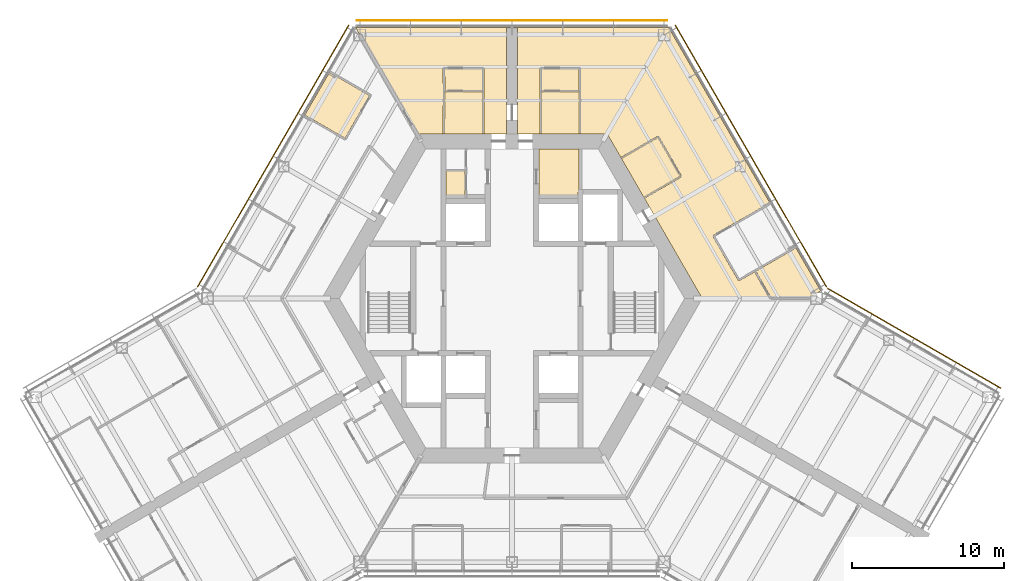
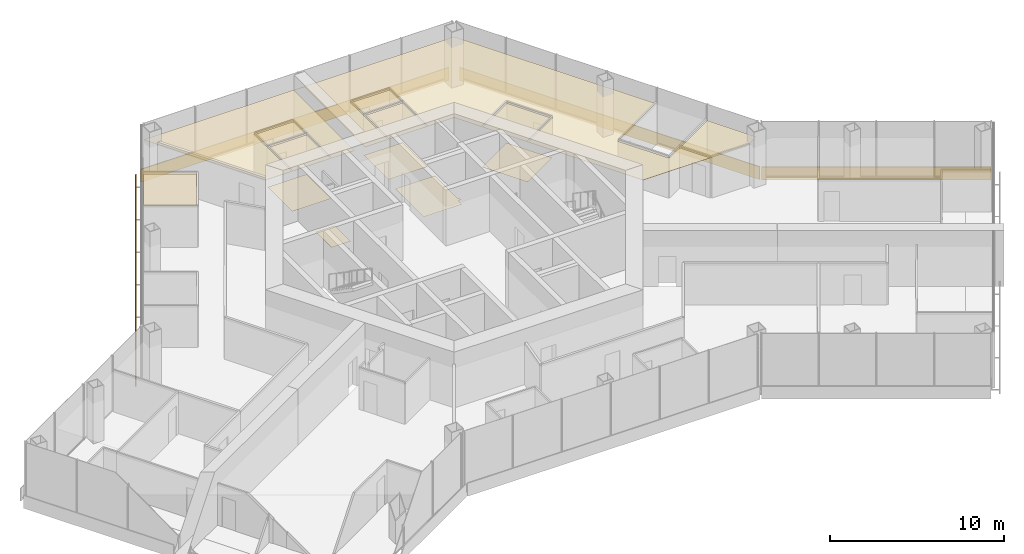
# One storey, part 18 of 18: 14 coverings, 4 shading devices.
"""IFC4 building model written with IfcOpenShell, lengths in metres."""

from ifc_helpers import new_model, si_unit, direction, frame, origin, origin_2d, place, context, subcontext, project, spatial, polyline, rectangle, outline, extrude, material, layer, layer_set, type_object, element, save


model = new_model("IFC4")

# Units and contexts
model_context = context("Model", 3, precision=1e-05, world=origin(), true_north=direction((0.0, 1.0)))
body_context = subcontext(model_context, "Body", "Model", "MODEL_VIEW")
ifc_project = project(units=[si_unit("LENGTHUNIT", "METRE"), si_unit("AREAUNIT", "SQUARE_METRE"), si_unit("VOLUMEUNIT", "CUBIC_METRE"), si_unit("PLANEANGLEUNIT", "RADIAN"), si_unit("MASSUNIT", "GRAM", prefix="KILO")], contexts=[model_context])

# Site, building, storey
site_placement = place(None, origin())
site = spatial("IfcSite", under=ifc_project, at=site_placement, CompositionType="ELEMENT")
building_placement = place(site_placement, origin())
building = spatial("IfcBuilding", under=site, at=building_placement, Name="Kasaneha Research Tower", CompositionType="ELEMENT")
storey_placement = place(building_placement, frame((0.0, 0.0, 187.699951171875)))
storey = spatial("IfcBuildingStorey", under=building, at=storey_placement, Name="L47", CompositionType="ELEMENT", Elevation=187.699951171875)

# Coverings
ifc_material_1 = material(Name="Gypsum ceiling board", Category="gypsum")
ifc_layer_1 = layer(ifc_material_1, 0.02001953125)
ifc_layer_set_1 = layer_set([ifc_layer_1], Name="Suspended ceiling 20")
covering_type_1 = type_object("IfcCoveringType", Name="Suspended ceiling 20", PredefinedType="CEILING", material=ifc_layer_set_1)
covering_1_placement = place(storey_placement, frame((0.0, 0.0, 2.800048828125)))
element("IfcCovering", 1, at=covering_1_placement, inside=storey, type_object=covering_type_1, Name="Ceiling L47-24", PredefinedType="CEILING", context=body_context, shape_type="SweptSolid", body=[
    extrude(outline(polyline([(1.89990234375, 10.824951171875), (1.89990234375, 10.844970703125), (1.949951171875, 10.844970703125), (1.95458984375, 13.570068359375), (4.410400390625, 13.570068359375), (4.4150390625, 10.844970703125), (4.465087890625, 10.844970703125), (4.465087890625, 10.824951171875), (1.89990234375, 10.824951171875)])), origin(), (0.0, 0.0, 1.0), 0.02001953125),
])
covering_2_placement = place(storey_placement, frame((0.0, 0.0, 2.800048828125)))
element("IfcCovering", 2, at=covering_2_placement, inside=storey, type_object=covering_type_1, Name="Ceiling L47-25", PredefinedType="CEILING", context=body_context, shape_type="SweptSolid", body=[
    extrude(outline(polyline([(4.410400390625, 13.669921875), (1.954345703125, 13.669921875), (1.9501953125, 15.074951171875), (4.414794921875, 15.074951171875), (4.410400390625, 13.669921875)])), origin(), (0.0, 0.0, 1.0), 0.02001953125),
])
covering_3_placement = place(storey_placement, frame((0.0, 0.0, 2.800048828125)))
element("IfcCovering", 3, at=covering_3_placement, inside=storey, type_object=covering_type_1, Name="Ceiling L47-26", PredefinedType="CEILING", context=body_context, shape_type="SweptSolid", body=[
    extrude(outline(polyline([(7.1748046875, 9.222900390625), (7.19189453125, 9.23291015625), (7.217041015625, 9.189697265625), (9.581298828125, 10.5546875), (11.03125, 8.043212890625), (8.6669921875, 6.67822265625), (8.69189453125, 6.635009765625), (8.6748046875, 6.625), (7.1748046875, 9.222900390625)])), origin(), (0.0, 0.0, 1.0), 0.02001953125),
])
covering_4_placement = place(storey_placement, frame((0.0, 0.0, 2.800048828125)))
element("IfcCovering", 4, at=covering_4_placement, inside=storey, type_object=covering_type_1, Name="Ceiling L47-28", PredefinedType="CEILING", context=body_context, shape_type="SweptSolid", body=[
    extrude(outline(polyline([(16.997802734375, 0.0), (16.986328125, 0.02001953125), (17.029541015625, 0.044921875), (16.024658203125, 1.79443359375), (18.644775390625, 3.30712890625), (18.619873046875, 3.3505859375), (18.63720703125, 3.360595703125), (20.28759765625, 0.501708984375), (19.41845703125, 0.0), (16.997802734375, 0.0)])), origin(), (0.0, 0.0, 1.0), 0.02001953125),
])
covering_5_placement = place(storey_placement, frame((0.0, 0.0, 2.800048828125)))
element("IfcCovering", 5, at=covering_5_placement, inside=storey, type_object=covering_type_1, Name="Ceiling L47-29", PredefinedType="CEILING", context=body_context, shape_type="SweptSolid", body=[
    extrude(outline(polyline([(8.692138671875, 6.634521484375), (8.717041015625, 6.591552734375), (11.12451171875, 7.981689453125), (11.099853515625, 8.024658203125), (11.10009765625, 8.02490234375), (11.099853515625, 8.025146484375), (11.142822265625, 8.0498046875), (9.642822265625, 10.64794921875), (9.60009765625, 10.623291015625), (9.599853515625, 10.623291015625), (9.599609375, 10.623046875), (9.57470703125, 10.666259765625), (7.1669921875, 9.2763671875), (7.191650390625, 9.2333984375), (7.174560546875, 9.223388671875), (6.249755859375, 10.824951171875), (4.465576171875, 10.824951171875), (4.465576171875, 10.844970703125), (4.514892578125, 10.844970703125), (4.51025390625, 13.625), (4.514892578125, 15.124755859375), (4.465087890625, 15.125), (4.465087890625, 15.12548828125), (4.465087890625, 15.175048828125), (1.89990234375, 15.175048828125), (1.89990234375, 15.125244140625), (1.899658203125, 15.125244140625), (1.899658203125, 15.125), (1.85009765625, 15.124755859375), (1.8544921875, 13.625), (1.85009765625, 10.844970703125), (1.8994140625, 10.844970703125), (1.8994140625, 10.824951171875), (0.35009765625, 10.824951171875), (0.35009765625, 11.72509765625), (0.35009765625, 12.72509765625), (0.35009765625, 17.7705078125), (0.35009765625, 17.7705078125), (0.0, 17.7705078125), (0.0, 17.820556640625), (10.28857421875, 17.820556640625), (16.94677734375, 6.28857421875), (13.222900390625, 4.138427734375), (13.24755859375, 4.095458984375), (13.247314453125, 4.09521484375), (13.247314453125, 4.094970703125), (13.20458984375, 4.0703125), (14.869873046875, 1.185546875), (14.912841796875, 1.210205078125), (14.912841796875, 1.210205078125), (14.913330078125, 1.21044921875), (14.938232421875, 1.167236328125), (15.93798828125, 1.744384765625), (16.93994140625, 0.0), (12.49951171875, 0.0), (8.675048828125, 6.62451171875), (8.692138671875, 6.634521484375)])), origin(), (0.0, 0.0, 1.0), 0.02001953125),
])
covering_6_placement = place(storey_placement, frame((0.0, 0.0, 2.800048828125)))
element("IfcCovering", 6, at=covering_6_placement, inside=storey, type_object=covering_type_1, Name="Ceiling L47-30", PredefinedType="CEILING", context=body_context, shape_type="SweptSolid", body=[
    extrude(outline(polyline([(-4.470947265625, 10.824951171875), (-4.470947265625, 10.844970703125), (-4.4208984375, 10.844970703125), (-4.41650390625, 13.570068359375), (-1.95458984375, 13.570068359375), (-1.949951171875, 10.844970703125), (-1.89990234375, 10.844970703125), (-1.89990234375, 10.824951171875), (-4.470947265625, 10.824951171875)])), origin(), (0.0, 0.0, 1.0), 0.02001953125),
])
covering_7_placement = place(storey_placement, frame((0.0, 0.0, 2.800048828125)))
element("IfcCovering", 7, at=covering_7_placement, inside=storey, type_object=covering_type_1, Name="Ceiling L47-31", PredefinedType="CEILING", context=body_context, shape_type="SweptSolid", body=[
    extrude(outline(polyline([(-1.9501953125, 15.074951171875), (-1.95458984375, 13.669921875), (-4.41650390625, 13.669921875), (-4.4208984375, 15.074951171875), (-1.9501953125, 15.074951171875)])), origin(), (0.0, 0.0, 1.0), 0.02001953125),
])
covering_8_placement = place(storey_placement, frame((0.0, 0.0, 2.800048828125)))
element("IfcCovering", 8, at=covering_8_placement, inside=storey, type_object=covering_type_1, Name="Ceiling L47-32", PredefinedType="CEILING", context=body_context, shape_type="SweptSolid", body=[
    extrude(outline(polyline([(-0.35009765625, 11.72509765625), (-0.35009765625, 10.824951171875), (-1.8994140625, 10.824951171875), (-1.8994140625, 10.844970703125), (-1.85009765625, 10.844970703125), (-1.854736328125, 13.625), (-1.85009765625, 15.124755859375), (-1.89990234375, 15.125), (-1.89990234375, 15.12548828125), (-1.89990234375, 15.175048828125), (-4.470947265625, 15.175048828125), (-4.470947265625, 15.125244140625), (-4.471435546875, 15.125244140625), (-4.471435546875, 15.125), (-4.52099609375, 15.124755859375), (-4.516357421875, 13.625), (-4.52099609375, 10.844970703125), (-4.471435546875, 10.844970703125), (-4.471435546875, 10.824951171875), (-6.249755859375, 10.824951171875), (-10.28857421875, 17.820556640625), (0.0, 17.820556640625), (0.0, 17.7705078125), (-0.35009765625, 17.7705078125), (-0.35009765625, 17.7705078125), (-0.35009765625, 12.72509765625), (-0.35009765625, 11.72509765625)])), origin(), (0.0, 0.0, 1.0), 0.02001953125),
])
covering_9_placement = place(storey_placement, frame((0.0, 0.0, 2.800048828125)))
element("IfcCovering", 9, at=covering_9_placement, inside=storey, type_object=covering_type_1, Name="Ceiling L47-36", PredefinedType="CEILING", context=body_context, shape_type="SweptSolid", body=[
    extrude(outline(polyline([(-12.000244140625, 14.85595703125), (-9.35888671875, 13.330810546875), (-10.974365234375, 10.53271484375), (-13.598388671875, 12.0478515625), (-13.623291015625, 12.004638671875), (-13.640869140625, 12.0146484375), (-12.000244140625, 14.85595703125)])), origin(), (0.0, 0.0, 1.0), 0.02001953125),
])

# Shading devices
ifc_material_2 = material(Name="Terracotta", Category="masonry")
ifc_layer_2 = layer(ifc_material_2, 0.06005859375)
ifc_layer_set_2 = layer_set([ifc_layer_2], Name="Terracotta baguette screen")
shading_device_type = type_object("IfcShadingDeviceType", Name="Terracotta baguette screen", PredefinedType="USERDEFINED", material=ifc_layer_set_2)
shading_device_1_placement = place(storey_placement, frame((26.43359375, -2.617431640625, -0.449951171875), z_axis=(0.0, 0.0, 1.0), x_axis=(-0.866025411464, 0.499999986699, 0.0)))
element("IfcShadingDevice", 10, at=shading_device_1_placement, inside=storey, type_object=shading_device_type, Name="Baguette screen L47 05", ObjectType="TERRACOTTA BAGUETTE SCREEN", PredefinedType="USERDEFINED", context=body_context, shape_type="SweptSolid", body=[
    extrude(rectangle(XDim=13.13916015625, YDim=0.06005859375, at=origin_2d()), origin(), (0.0, 0.0, 1.0), 0.89990234375),
])
shading_device_2_placement = place(storey_placement, frame((15.696044921875, 9.35498046875, -0.449951171875), z_axis=(0.0, 0.0, 1.0), x_axis=(-0.499999979232, 0.866025415775, 0.0)))
element("IfcShadingDevice", 11, at=shading_device_2_placement, inside=storey, type_object=shading_device_type, Name="Baguette screen L47 06", ObjectType="TERRACOTTA BAGUETTE SCREEN", PredefinedType="USERDEFINED", context=body_context, shape_type="SweptSolid", body=[
    extrude(rectangle(XDim=19.8857421875, YDim=0.06005859375, at=origin_2d()), origin(), (0.0, 0.0, 1.0), 0.89990234375),
])
shading_device_3_placement = place(storey_placement, frame((0.0, 18.2705078125, -0.449951171875), z_axis=(0.0, 0.0, 1.0), x_axis=(-1.0, 0.0, 0.0)))
element("IfcShadingDevice", 12, at=shading_device_3_placement, inside=storey, type_object=shading_device_type, Name="Baguette screen L47 07", ObjectType="TERRACOTTA BAGUETTE SCREEN", PredefinedType="USERDEFINED", context=body_context, shape_type="SweptSolid", body=[
    extrude(rectangle(XDim=20.392822265625, YDim=0.06005859375, at=origin_2d()), origin(), (0.0, 0.0, 1.0), 0.89990234375),
])
shading_device_4_placement = place(storey_placement, frame((-15.696044921875, 9.35498046875, -0.449951171875), z_axis=(0.0, 0.0, 1.0), x_axis=(-0.499999979232, -0.866025415775, 0.0)))
element("IfcShadingDevice", 13, at=shading_device_4_placement, inside=storey, type_object=shading_device_type, Name="Baguette screen L47 08", ObjectType="TERRACOTTA BAGUETTE SCREEN", PredefinedType="USERDEFINED", context=body_context, shape_type="SweptSolid", body=[
    extrude(rectangle(XDim=19.8857421875, YDim=0.06005859375, at=origin_2d()), origin(), (0.0, 0.0, 1.0), 0.89990234375),
])

# Coverings
ifc_material_3 = material(Name="Vinyl sheet flooring", Category="plastic")
ifc_layer_3 = layer(ifc_material_3, 0.0048828125)
ifc_layer_set_3 = layer_set([ifc_layer_3], Name="Wet room sheet flooring 5")
covering_type_2 = type_object("IfcCoveringType", Name="Wet room sheet flooring 5", PredefinedType="FLOORING", material=ifc_layer_set_3)
covering_10_placement = place(storey_placement, origin())
element("IfcCovering", 14, at=covering_10_placement, inside=storey, type_object=covering_type_2, Name="Floor finish L47-07", PredefinedType="FLOORING", context=body_context, shape_type="SweptSolid", body=[
    extrude(outline(polyline([(-4.324951171875, 6.574951171875), (-4.324951171875, 8.375), (-3.074951171875, 8.375), (-3.074951171875, 6.574951171875), (-4.324951171875, 6.574951171875)])), origin(), (0.0, 0.0, 1.0), 0.005126953125),
])
covering_11_placement = place(storey_placement, origin())
element("IfcCovering", 15, at=covering_11_placement, inside=storey, type_object=covering_type_2, Name="Floor finish L47-09", PredefinedType="FLOORING", context=body_context, shape_type="SweptSolid", body=[
    extrude(outline(polyline([(4.39892578125, 9.824951171875), (4.39892578125, 7.175048828125), (4.39892578125, 7.1748046875), (4.39892578125, 7.1748046875), (4.39892578125, 7.1748046875), (4.399169921875, 7.174560546875), (4.399169921875, 7.174560546875), (4.399169921875, 7.174560546875), (4.399169921875, 7.17431640625), (4.399169921875, 7.17431640625), (4.3994140625, 7.17431640625), (4.3994140625, 7.174072265625), (4.3994140625, 7.174072265625), (4.399658203125, 7.174072265625), (4.399658203125, 7.174072265625), (4.39990234375, 7.174072265625), (4.39990234375, 7.174072265625), (4.39990234375, 7.174072265625), (4.5, 7.174072265625), (4.5, 7.0), (4.324951171875, 7.0), (4.324951171875, 6.574951171875), (1.77490234375, 6.574951171875), (1.77490234375, 9.824951171875), (4.39892578125, 9.824951171875)])), origin(), (0.0, 0.0, 1.0), 0.005126953125),
])
covering_12_placement = place(storey_placement, origin())
element("IfcCovering", 16, at=covering_12_placement, inside=storey, type_object=covering_type_2, Name="Floor finish L47-24", PredefinedType="FLOORING", context=body_context, shape_type="SweptSolid", body=[
    extrude(outline(polyline([(4.465087890625, 13.625), (4.465087890625, 10.824951171875), (1.89990234375, 10.824951171875), (1.89990234375, 13.625), (4.465087890625, 13.625)])), origin(), (0.0, 0.0, 1.0), 0.005126953125),
])
covering_13_placement = place(storey_placement, origin())
element("IfcCovering", 17, at=covering_13_placement, inside=storey, type_object=covering_type_2, Name="Floor finish L47-26", PredefinedType="FLOORING", context=body_context, shape_type="SweptSolid", body=[
    extrude(outline(polyline([(11.099609375, 8.02490234375), (8.6748046875, 6.625), (7.1748046875, 9.222900390625), (9.599609375, 10.623046875), (11.099609375, 8.02490234375)])), origin(), (0.0, 0.0, 1.0), 0.005126953125),
])
covering_14_placement = place(storey_placement, origin())
element("IfcCovering", 18, at=covering_14_placement, inside=storey, type_object=covering_type_2, Name="Floor finish L47-30", PredefinedType="FLOORING", context=body_context, shape_type="SweptSolid", body=[
    extrude(outline(polyline([(-1.89990234375, 13.625), (-1.89990234375, 10.824951171875), (-4.470947265625, 10.824951171875), (-4.470947265625, 13.625), (-1.89990234375, 13.625)])), origin(), (0.0, 0.0, 1.0), 0.005126953125),
])

save(model, "model.ifc")
